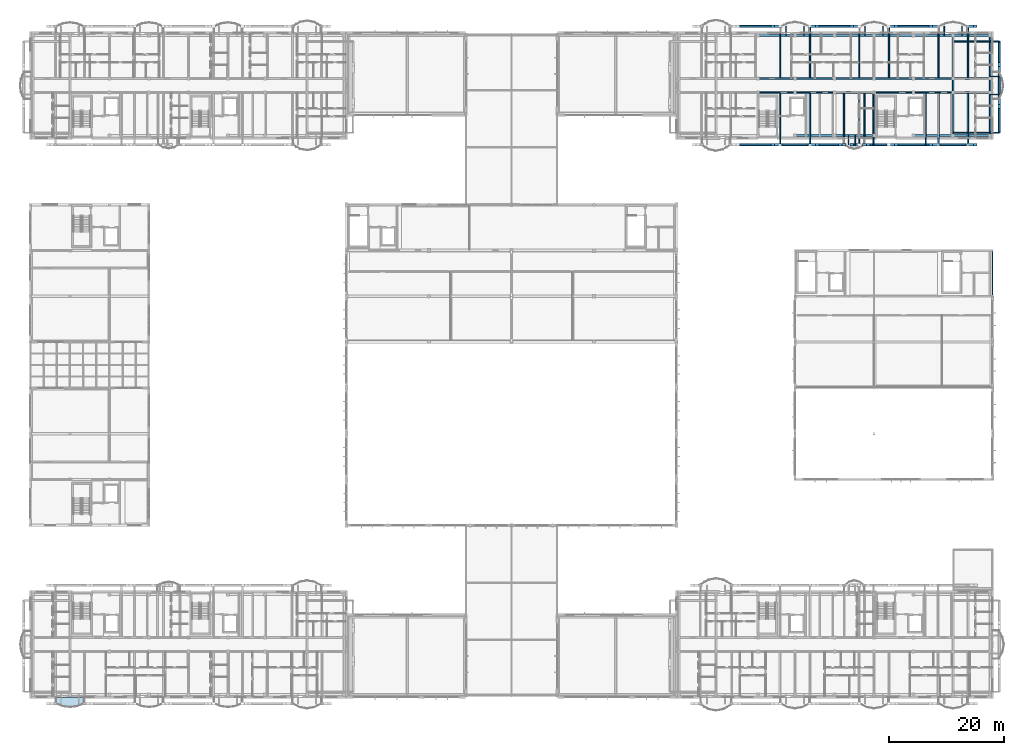
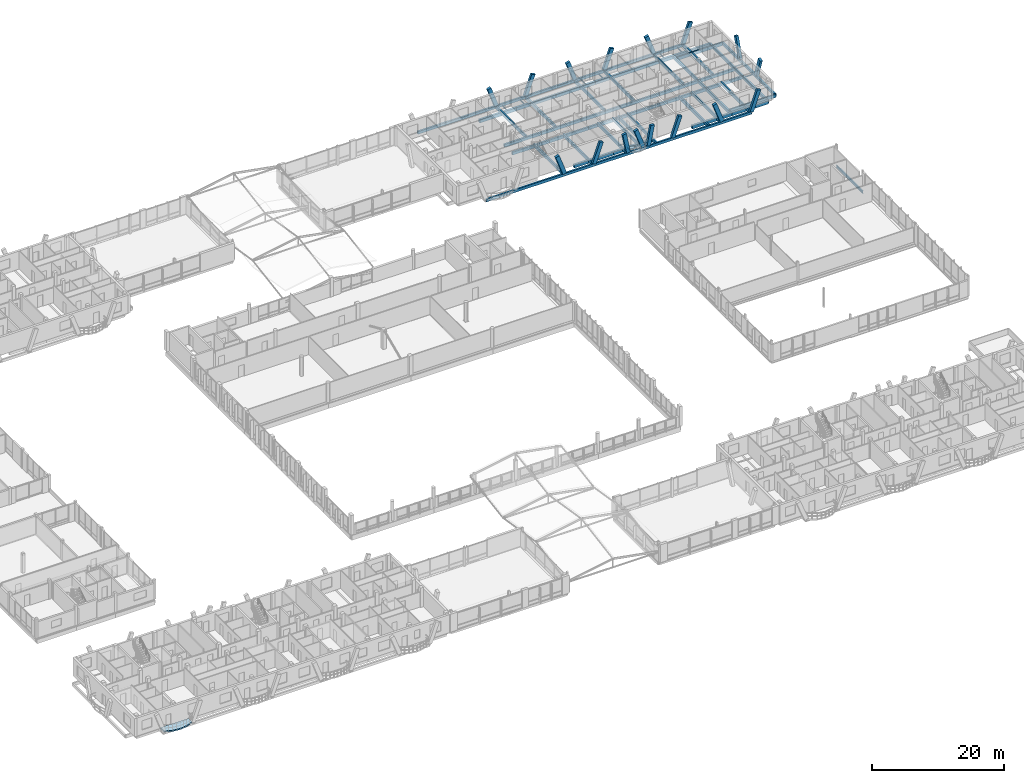
# One storey, part 122 of 189: 59 beams, 16 members, 1 slab.
"""IFC4 building model written with IfcOpenShell, lengths in metres."""

from ifc_helpers import new_model, si_unit, direction, frame, origin, origin_2d, place, context, subcontext, project, spatial, polyline, rectangle, i_section, outline, extrude, material, layer, layer_set, material_profile, profile_set, type_object, element, save


model = new_model("IFC4")

# Units and contexts
model_context = context("Model", 3, precision=1e-05, world=origin(), true_north=direction((0.0, 1.0)))
body_context = subcontext(model_context, "Body", "Model", "MODEL_VIEW")
ifc_project = project(units=[si_unit("LENGTHUNIT", "METRE"), si_unit("AREAUNIT", "SQUARE_METRE"), si_unit("VOLUMEUNIT", "CUBIC_METRE"), si_unit("PLANEANGLEUNIT", "RADIAN"), si_unit("MASSUNIT", "GRAM", prefix="KILO")], contexts=[model_context])

# Site, building, storey
site_placement = place(None, origin())
site = spatial("IfcSite", under=ifc_project, at=site_placement, CompositionType="ELEMENT")
building_placement = place(site_placement, origin())
building = spatial("IfcBuilding", under=site, at=building_placement, Name="Zavelmont Quarter", CompositionType="ELEMENT")
storey_placement = place(building_placement, frame((0.0, 0.0, 4.39990234375)))
storey = spatial("IfcBuildingStorey", under=building, at=storey_placement, Name="L01", CompositionType="ELEMENT", Elevation=4.39990234375)

# Beams
ifc_material_1 = material(Name="Concrete C35/45", Category="concrete")
ifc_material_profile_1 = material_profile(ifc_material_1, rectangle(XDim=0.35009765625, YDim=0.60009765625, at=origin_2d()), Name="RC350X600")
ifc_profile_set_1 = profile_set([ifc_material_profile_1], Name="Concrete C35/45")
beam_type_1 = type_object("IfcBeamType", Name="BM01", PredefinedType="SPANDREL", material=ifc_profile_set_1)
beam_1_placement = place(storey_placement, frame((133.5, 98.0400390625, -0.579833984375), z_axis=(1.0, 0.0, 0.0), x_axis=(0.0, 1.0, 0.0)))
element("IfcBeam", 1, at=beam_1_placement, inside=storey, type_object=beam_type_1, Name="L01 beam BM01 20/P to 21/P", PredefinedType="SPANDREL", context=body_context, shape_type="SweptSolid", body=[
    extrude(rectangle(XDim=0.35009765625, YDim=0.60009765625, at=origin_2d()), origin(), (0.0, 0.0, 1.0), 6.89990234375),
])
for number, where, z_axis, x_axis, name in (
    (2, (140.39990234375, 98.0400390625, -0.579833984375), (1.0, 0.0, 0.0), (0.0, 1.0, 0.0), "L01 beam BM01 21/P to 22/P"),
    (3, (154.199951171875, 98.0400390625, -0.579833984375), (1.0, 0.0, 0.0), (0.0, 1.0, 0.0), "L01 beam BM01 23/P to 24/P"),
):
    element("IfcBeam", number, at=place(storey_placement, frame(where, z_axis=z_axis, x_axis=x_axis)), inside=storey, type_object=beam_type_1, Name=name, PredefinedType="SPANDREL", context=body_context, shape_type="SweptSolid", body=[
        extrude(rectangle(XDim=0.35009765625, YDim=0.60009765625, at=origin_2d()), origin(), (0.0, 0.0, 1.0), 6.900146484375),
    ])
for number, where, z_axis, x_axis, name in (
    (4, (161.10009765625, 98.0400390625, -0.579833984375), (1.0, 0.0, 0.0), (0.0, 1.0, 0.0), "L01 beam BM01 24/P to 25/P"),
    (5, (127.0400390625, 115.56005859375, -0.579833984375), (1.0, 0.0, 0.0), (0.0, 1.0, 0.0), "L01 beam BM01 19/S to 20/S"),
):
    element("IfcBeam", number, at=place(storey_placement, frame(where, z_axis=z_axis, x_axis=x_axis)), inside=storey, type_object=beam_type_1, Name=name, PredefinedType="SPANDREL", context=body_context, shape_type="SweptSolid", body=[
        extrude(rectangle(XDim=0.35009765625, YDim=0.60009765625, at=origin_2d()), origin(), (0.0, 0.0, 1.0), 6.4599609375),
    ])
beam_2_placement = place(storey_placement, frame((133.5, 115.56005859375, -0.579833984375), z_axis=(1.0, 0.0, 0.0), x_axis=(0.0, 1.0, 0.0)))
element("IfcBeam", 6, at=beam_2_placement, inside=storey, type_object=beam_type_1, Name="L01 beam BM01 20/S to 21/S", PredefinedType="SPANDREL", context=body_context, shape_type="SweptSolid", body=[
    extrude(rectangle(XDim=0.35009765625, YDim=0.60009765625, at=origin_2d()), origin(), (0.0, 0.0, 1.0), 6.89990234375),
])
beam_3_placement = place(storey_placement, frame((140.39990234375, 115.56005859375, -0.579833984375), z_axis=(1.0, 0.0, 0.0), x_axis=(0.0, 1.0, 0.0)))
element("IfcBeam", 7, at=beam_3_placement, inside=storey, type_object=beam_type_1, Name="L01 beam BM01 21/S to 22/S", PredefinedType="SPANDREL", context=body_context, shape_type="SweptSolid", body=[
    extrude(rectangle(XDim=0.35009765625, YDim=0.60009765625, at=origin_2d()), origin(), (0.0, 0.0, 1.0), 6.900146484375),
])
beam_4_placement = place(storey_placement, frame((147.300048828125, 115.56005859375, -0.579833984375), z_axis=(1.0, 0.0, 0.0), x_axis=(0.0, 1.0, 0.0)))
element("IfcBeam", 8, at=beam_4_placement, inside=storey, type_object=beam_type_1, Name="L01 beam BM01 22/S to 23/S", PredefinedType="SPANDREL", context=body_context, shape_type="SweptSolid", body=[
    extrude(rectangle(XDim=0.35009765625, YDim=0.60009765625, at=origin_2d()), origin(), (0.0, 0.0, 1.0), 6.89990234375),
])
beam_5_placement = place(storey_placement, frame((154.199951171875, 115.56005859375, -0.579833984375), z_axis=(1.0, 0.0, 0.0), x_axis=(0.0, 1.0, 0.0)))
element("IfcBeam", 9, at=beam_5_placement, inside=storey, type_object=beam_type_1, Name="L01 beam BM01 23/S to 24/S", PredefinedType="SPANDREL", context=body_context, shape_type="SweptSolid", body=[
    extrude(rectangle(XDim=0.35009765625, YDim=0.60009765625, at=origin_2d()), origin(), (0.0, 0.0, 1.0), 6.900146484375),
])
beam_6_placement = place(storey_placement, frame((161.10009765625, 115.56005859375, -0.579833984375), z_axis=(1.0, 0.0, 0.0), x_axis=(0.0, 1.0, 0.0)))
element("IfcBeam", 10, at=beam_6_placement, inside=storey, type_object=beam_type_1, Name="L01 beam BM01 24/S to 25/S", PredefinedType="SPANDREL", context=body_context, shape_type="SweptSolid", body=[
    extrude(rectangle(XDim=0.35009765625, YDim=0.60009765625, at=origin_2d()), origin(), (0.0, 0.0, 1.0), 6.4599609375),
])
ifc_material_profile_2 = material_profile(ifc_material_1, rectangle(XDim=0.300048828125, YDim=0.550048828125, at=origin_2d()), Name="RC300X550")
ifc_profile_set_2 = profile_set([ifc_material_profile_2], Name="Concrete C35/45")
beam_type_2 = type_object("IfcBeamType", Name="BM02", PredefinedType="SPANDREL", material=ifc_profile_set_2)
beam_7_placement = place(storey_placement, frame((127.0400390625, 105.60009765625, -0.554931640625), z_axis=(1.0, 0.0, 0.0), x_axis=(0.0, 1.0, 0.0)))
element("IfcBeam", 11, at=beam_7_placement, inside=storey, type_object=beam_type_2, Name="L01 beam BM02 19/Q to 20/Q", PredefinedType="SPANDREL", context=body_context, shape_type="SweptSolid", body=[
    extrude(rectangle(XDim=0.300048828125, YDim=0.550048828125, at=origin_2d()), origin(), (0.0, 0.0, 1.0), 6.4599609375),
])
beam_8_placement = place(storey_placement, frame((133.5, 105.60009765625, -0.554931640625), z_axis=(1.0, 0.0, 0.0), x_axis=(0.0, 1.0, 0.0)))
element("IfcBeam", 12, at=beam_8_placement, inside=storey, type_object=beam_type_2, Name="L01 beam BM02 20/Q to 21/Q", PredefinedType="SPANDREL", context=body_context, shape_type="SweptSolid", body=[
    extrude(rectangle(XDim=0.300048828125, YDim=0.550048828125, at=origin_2d()), origin(), (0.0, 0.0, 1.0), 6.89990234375),
])
beam_9_placement = place(storey_placement, frame((140.39990234375, 105.60009765625, -0.554931640625), z_axis=(1.0, 0.0, 0.0), x_axis=(0.0, 1.0, 0.0)))
element("IfcBeam", 13, at=beam_9_placement, inside=storey, type_object=beam_type_2, Name="L01 beam BM02 21/Q to 22/Q", PredefinedType="SPANDREL", context=body_context, shape_type="SweptSolid", body=[
    extrude(rectangle(XDim=0.300048828125, YDim=0.550048828125, at=origin_2d()), origin(), (0.0, 0.0, 1.0), 6.900146484375),
])
beam_10_placement = place(storey_placement, frame((147.300048828125, 105.60009765625, -0.554931640625), z_axis=(1.0, 0.0, 0.0), x_axis=(0.0, 1.0, 0.0)))
element("IfcBeam", 14, at=beam_10_placement, inside=storey, type_object=beam_type_2, Name="L01 beam BM02 22/Q to 23/Q", PredefinedType="SPANDREL", context=body_context, shape_type="SweptSolid", body=[
    extrude(rectangle(XDim=0.300048828125, YDim=0.550048828125, at=origin_2d()), origin(), (0.0, 0.0, 1.0), 6.89990234375),
])
beam_11_placement = place(storey_placement, frame((154.199951171875, 105.60009765625, -0.554931640625), z_axis=(1.0, 0.0, 0.0), x_axis=(0.0, 1.0, 0.0)))
element("IfcBeam", 15, at=beam_11_placement, inside=storey, type_object=beam_type_2, Name="L01 beam BM02 23/Q to 24/Q", PredefinedType="SPANDREL", context=body_context, shape_type="SweptSolid", body=[
    extrude(rectangle(XDim=0.300048828125, YDim=0.550048828125, at=origin_2d()), origin(), (0.0, 0.0, 1.0), 6.900146484375),
])
for number, where, z_axis, x_axis, name in (
    (16, (161.10009765625, 105.60009765625, -0.554931640625), (1.0, 0.0, 0.0), (0.0, 1.0, 0.0), "L01 beam BM02 24/Q to 25/Q"),
    (17, (127.0400390625, 108.0, -0.554931640625), (1.0, 0.0, 0.0), (0.0, 1.0, 0.0), "L01 beam BM02 19/R to 20/R"),
):
    element("IfcBeam", number, at=place(storey_placement, frame(where, z_axis=z_axis, x_axis=x_axis)), inside=storey, type_object=beam_type_2, Name=name, PredefinedType="SPANDREL", context=body_context, shape_type="SweptSolid", body=[
        extrude(rectangle(XDim=0.300048828125, YDim=0.550048828125, at=origin_2d()), origin(), (0.0, 0.0, 1.0), 6.4599609375),
    ])
beam_12_placement = place(storey_placement, frame((133.5, 108.0, -0.554931640625), z_axis=(1.0, 0.0, 0.0), x_axis=(0.0, 1.0, 0.0)))
element("IfcBeam", 18, at=beam_12_placement, inside=storey, type_object=beam_type_2, Name="L01 beam BM02 20/R to 21/R", PredefinedType="SPANDREL", context=body_context, shape_type="SweptSolid", body=[
    extrude(rectangle(XDim=0.300048828125, YDim=0.550048828125, at=origin_2d()), origin(), (0.0, 0.0, 1.0), 6.89990234375),
])
beam_13_placement = place(storey_placement, frame((140.39990234375, 108.0, -0.554931640625), z_axis=(1.0, 0.0, 0.0), x_axis=(0.0, 1.0, 0.0)))
element("IfcBeam", 19, at=beam_13_placement, inside=storey, type_object=beam_type_2, Name="L01 beam BM02 21/R to 22/R", PredefinedType="SPANDREL", context=body_context, shape_type="SweptSolid", body=[
    extrude(rectangle(XDim=0.300048828125, YDim=0.550048828125, at=origin_2d()), origin(), (0.0, 0.0, 1.0), 6.900146484375),
])
beam_14_placement = place(storey_placement, frame((147.300048828125, 108.0, -0.554931640625), z_axis=(1.0, 0.0, 0.0), x_axis=(0.0, 1.0, 0.0)))
element("IfcBeam", 20, at=beam_14_placement, inside=storey, type_object=beam_type_2, Name="L01 beam BM02 22/R to 23/R", PredefinedType="SPANDREL", context=body_context, shape_type="SweptSolid", body=[
    extrude(rectangle(XDim=0.300048828125, YDim=0.550048828125, at=origin_2d()), origin(), (0.0, 0.0, 1.0), 6.89990234375),
])
beam_15_placement = place(storey_placement, frame((154.199951171875, 108.0, -0.554931640625), z_axis=(1.0, 0.0, 0.0), x_axis=(0.0, 1.0, 0.0)))
element("IfcBeam", 21, at=beam_15_placement, inside=storey, type_object=beam_type_2, Name="L01 beam BM02 23/R to 24/R", PredefinedType="SPANDREL", context=body_context, shape_type="SweptSolid", body=[
    extrude(rectangle(XDim=0.300048828125, YDim=0.550048828125, at=origin_2d()), origin(), (0.0, 0.0, 1.0), 6.900146484375),
])
beam_16_placement = place(storey_placement, frame((161.10009765625, 108.0, -0.554931640625), z_axis=(1.0, 0.0, 0.0), x_axis=(0.0, 1.0, 0.0)))
element("IfcBeam", 22, at=beam_16_placement, inside=storey, type_object=beam_type_2, Name="L01 beam BM02 24/R to 25/R", PredefinedType="SPANDREL", context=body_context, shape_type="SweptSolid", body=[
    extrude(rectangle(XDim=0.300048828125, YDim=0.550048828125, at=origin_2d()), origin(), (0.0, 0.0, 1.0), 6.4599609375),
])
beam_17_placement = place(storey_placement, frame((161.10009765625, 98.0400390625, -0.554931640625), z_axis=(0.0, 1.0, 0.0), x_axis=(-1.0, 0.0, 0.0)))
element("IfcBeam", 23, at=beam_17_placement, inside=storey, type_object=beam_type_2, Name="L01 beam BM02 24/P to 24/Q", PredefinedType="SPANDREL", context=body_context, shape_type="SweptSolid", body=[
    extrude(rectangle(XDim=0.300048828125, YDim=0.550048828125, at=origin_2d()), origin(), (0.0, 0.0, 1.0), 7.56005859375),
])
beam_18_placement = place(storey_placement, frame((161.10009765625, 105.60009765625, -0.554931640625), z_axis=(0.0, 1.0, 0.0), x_axis=(-1.0, 0.0, 0.0)))
element("IfcBeam", 24, at=beam_18_placement, inside=storey, type_object=beam_type_2, Name="L01 beam BM02 24/Q to 24/R", PredefinedType="SPANDREL", context=body_context, shape_type="SweptSolid", body=[
    extrude(rectangle(XDim=0.300048828125, YDim=0.550048828125, at=origin_2d()), origin(), (0.0, 0.0, 1.0), 2.39990234375),
])
for number, where, z_axis, x_axis, name in (
    (25, (161.10009765625, 108.0, -0.554931640625), (0.0, 1.0, 0.0), (-1.0, 0.0, 0.0), "L01 beam BM02 24/R to 24/S"),
    (26, (167.56005859375, 98.0400390625, -0.554931640625), (0.0, 1.0, 0.0), (-1.0, 0.0, 0.0), "L01 beam BM02 25/P to 25/Q"),
):
    element("IfcBeam", number, at=place(storey_placement, frame(where, z_axis=z_axis, x_axis=x_axis)), inside=storey, type_object=beam_type_2, Name=name, PredefinedType="SPANDREL", context=body_context, shape_type="SweptSolid", body=[
        extrude(rectangle(XDim=0.300048828125, YDim=0.550048828125, at=origin_2d()), origin(), (0.0, 0.0, 1.0), 7.56005859375),
    ])
beam_19_placement = place(storey_placement, frame((167.56005859375, 105.60009765625, -0.554931640625), z_axis=(0.0, 1.0, 0.0), x_axis=(-1.0, 0.0, 0.0)))
element("IfcBeam", 27, at=beam_19_placement, inside=storey, type_object=beam_type_2, Name="L01 beam BM02 25/Q to 25/R", PredefinedType="SPANDREL", context=body_context, shape_type="SweptSolid", body=[
    extrude(rectangle(XDim=0.300048828125, YDim=0.550048828125, at=origin_2d()), origin(), (0.0, 0.0, 1.0), 2.39990234375),
])
beam_20_placement = place(storey_placement, frame((167.56005859375, 108.0, -0.554931640625), z_axis=(0.0, 1.0, 0.0), x_axis=(-1.0, 0.0, 0.0)))
element("IfcBeam", 28, at=beam_20_placement, inside=storey, type_object=beam_type_2, Name="L01 beam BM02 25/R to 25/S", PredefinedType="SPANDREL", context=body_context, shape_type="SweptSolid", body=[
    extrude(rectangle(XDim=0.300048828125, YDim=0.550048828125, at=origin_2d()), origin(), (0.0, 0.0, 1.0), 7.56005859375),
])
ifc_material_profile_3 = material_profile(ifc_material_1, rectangle(XDim=0.300048828125, YDim=0.5, at=origin_2d()), Name="RC300X500")
ifc_profile_set_3 = profile_set([ifc_material_profile_3], Name="Concrete C35/45")
beam_type_3 = type_object("IfcBeamType", Name="BM03", PredefinedType="BEAM", material=ifc_profile_set_3)
for number, where, z_axis, x_axis, name in (
    (29, (117.173095703125, 117.14990234375, -0.25), (1.0, 0.0, 0.0), (0.0, 1.0, 0.0), "L01 beam BM03 18/S to 24/S"),
    (30, (117.173095703125, 96.449951171875, -0.25), (1.0, 0.0, 0.0), (0.0, 1.0, 0.0), "L01 beam BM03 18/P to 24/P"),
):
    element("IfcBeam", number, at=place(storey_placement, frame(where, z_axis=z_axis, x_axis=x_axis)), inside=storey, type_object=beam_type_3, Name=name, PredefinedType="BEAM", context=body_context, shape_type="SweptSolid", body=[
        extrude(rectangle(XDim=0.300048828125, YDim=0.5, at=origin_2d()), origin(), (0.0, 0.0, 1.0), 46.5087890625),
    ])
beam_21_placement = place(storey_placement, frame((169.14990234375, 98.550048828125, -0.25), z_axis=(0.0, 1.0, 0.0), x_axis=(-1.0, 0.0, 0.0)))
element("IfcBeam", 31, at=beam_21_placement, inside=storey, type_object=beam_type_3, Name="L01 beam BM03 25/P to 25/S", PredefinedType="BEAM", context=body_context, shape_type="SweptSolid", body=[
    extrude(rectangle(XDim=0.300048828125, YDim=0.5, at=origin_2d()), origin(), (0.0, 0.0, 1.0), 15.949951171875),
])
ifc_material_2 = material(Name="Steel S355", Category="steel")
ifc_material_profile_4 = material_profile(ifc_material_2, i_section(OverallWidth=0.18994140625, OverallDepth=0.449951171875, WebThickness=0.009521484375, FlangeThickness=0.0146484375, at=origin_2d()), Name="IPE 450")
ifc_profile_set_4 = profile_set([ifc_material_profile_4], Name="Steel S355")
beam_type_4 = type_object("IfcBeamType", Name="BM12", PredefinedType="BEAM", material=ifc_profile_set_4)
beam_22_placement = place(storey_placement, frame((168.0, 70.0, -0.5048828125), z_axis=(0.0, 1.0, 0.0), x_axis=(-1.0, 0.0, 0.0)))
element("IfcBeam", 32, at=beam_22_placement, inside=storey, type_object=beam_type_4, Name="L01 beam BM12 25/L to 25/M", PredefinedType="BEAM", context=body_context, shape_type="SweptSolid", body=[
    extrude(i_section(OverallWidth=0.18994140625, OverallDepth=0.449951171875, WebThickness=0.009521484375, FlangeThickness=0.0146484375, at=origin_2d()), origin(), (0.0, 0.0, 1.0), 8.0),
])
ifc_material_profile_5 = material_profile(ifc_material_2, i_section(OverallWidth=0.110107421875, OverallDepth=0.219970703125, WebThickness=0.005859375, FlangeThickness=0.00927734375, at=origin_2d()), Name="IPE 220")
ifc_profile_set_5 = profile_set([ifc_material_profile_5], Name="Steel S355")
beam_type_5 = type_object("IfcBeamType", Name="BM15", PredefinedType="JOIST", material=ifc_profile_set_5)
for number, where, z_axis, x_axis, name in (
    (33, (131.949951171875, 115.56005859375, -0.391845703125), (0.0, 1.0, 0.0), (-1.0, 0.0, 0.0), "L01 beam BM15 20/S to 20/S"),
    (34, (135.050048828125, 115.56005859375, -0.391845703125), (0.0, 1.0, 0.0), (-1.0, 0.0, 0.0), "L01 beam BM15 20/S to 20/S"),
    (35, (145.75, 115.56005859375, -0.391845703125), (0.0, 1.0, 0.0), (-1.0, 0.0, 0.0), "L01 beam BM15 22/S to 22/S"),
    (36, (148.85009765625, 115.56005859375, -0.391845703125), (0.0, 1.0, 0.0), (-1.0, 0.0, 0.0), "L01 beam BM15 22/S to 22/S"),
    (37, (159.550048828125, 115.56005859375, -0.391845703125), (0.0, 1.0, 0.0), (-1.0, 0.0, 0.0), "L01 beam BM15 24/S to 24/S"),
    (38, (162.64990234375, 115.56005859375, -0.391845703125), (0.0, 1.0, 0.0), (-1.0, 0.0, 0.0), "L01 beam BM15 24/S to 24/S"),
    (39, (167.56005859375, 105.25, -0.391845703125), (1.0, 0.0, 0.0), (0.0, 1.0, 0.0), "L01 beam BM15 25/Q to 25/Q"),
    (40, (167.56005859375, 108.35009765625, -0.391845703125), (1.0, 0.0, 0.0), (0.0, 1.0, 0.0), "L01 beam BM15 25/R to 25/R"),
):
    element("IfcBeam", number, at=place(storey_placement, frame(where, z_axis=z_axis, x_axis=x_axis)), inside=storey, type_object=beam_type_5, Name=name, PredefinedType="JOIST", context=body_context, shape_type="SweptSolid", body=[
        extrude(i_section(OverallWidth=0.110107421875, OverallDepth=0.219970703125, WebThickness=0.005859375, FlangeThickness=0.00927734375, at=origin_2d()), origin(), (0.0, 0.0, 1.0), 1.58984375),
    ])
for number, where, z_axis, x_axis, name in (
    (41, (142.841796875, 98.0400390625, -0.391845703125), (0.0, -1.0, 0.0), (1.0, 0.0, 0.0), "L01 beam BM15 21/P to 21/P"),
    (42, (144.028076171875, 98.0400390625, -0.391845703125), (0.0, -1.0, 0.0), (1.0, 0.0, 0.0), "L01 beam BM15 22/P to 22/P"),
):
    element("IfcBeam", number, at=place(storey_placement, frame(where, z_axis=z_axis, x_axis=x_axis)), inside=storey, type_object=beam_type_5, Name=name, PredefinedType="JOIST", context=body_context, shape_type="SweptSolid", body=[
        extrude(i_section(OverallWidth=0.110107421875, OverallDepth=0.219970703125, WebThickness=0.005859375, FlangeThickness=0.00927734375, at=origin_2d()), origin(), (0.0, 0.0, 1.0), 1.590087890625),
    ])
ifc_material_3 = material(Name="Concrete C40/50", Category="concrete")
ifc_material_profile_6 = material_profile(ifc_material_3, rectangle(XDim=0.25, YDim=0.60009765625, at=origin_2d()), Name="RC250X600")
ifc_profile_set_6 = profile_set([ifc_material_profile_6], Name="Concrete C40/50")
beam_type_6 = type_object("IfcBeamType", Name="BM18", PredefinedType="BEAM", material=ifc_profile_set_6)
for number, where, z_axis, x_axis, name in (
    (43, (130.91796875, 108.0, -0.2998046875), (0.0, 1.0, 0.0), (-1.0, 0.0, 0.0), "L01 beam BM18 20/R to 20/S"),
    (44, (136.08203125, 108.0, -0.2998046875), (0.0, 1.0, 0.0), (-1.0, 0.0, 0.0), "L01 beam BM18 20/R to 20/S"),
    (45, (144.718017578125, 108.0, -0.2998046875), (0.0, 1.0, 0.0), (-1.0, 0.0, 0.0), "L01 beam BM18 22/R to 22/S"),
    (46, (149.882080078125, 108.0, -0.2998046875), (0.0, 1.0, 0.0), (-1.0, 0.0, 0.0), "L01 beam BM18 22/R to 22/S"),
    (47, (158.517822265625, 108.0, -0.2998046875), (0.0, 1.0, 0.0), (-1.0, 0.0, 0.0), "L01 beam BM18 24/R to 24/S"),
    (48, (163.68212890625, 108.0, -0.2998046875), (0.0, 1.0, 0.0), (-1.0, 0.0, 0.0), "L01 beam BM18 24/R to 24/S"),
):
    element("IfcBeam", number, at=place(storey_placement, frame(where, z_axis=z_axis, x_axis=x_axis)), inside=storey, type_object=beam_type_6, Name=name, PredefinedType="BEAM", context=body_context, shape_type="SweptSolid", body=[
        extrude(rectangle(XDim=0.25, YDim=0.60009765625, at=origin_2d()), origin(), (0.0, 0.0, 1.0), 9.14990234375),
    ])
for number, where, z_axis, x_axis, name in (
    (49, (130.91796875, 105.60009765625, -0.2998046875), (0.0, -1.0, 0.0), (1.0, 0.0, 0.0), "L01 beam BM18 20/Q to 20/P"),
    (50, (136.08203125, 105.60009765625, -0.2998046875), (0.0, -1.0, 0.0), (1.0, 0.0, 0.0), "L01 beam BM18 20/Q to 20/P"),
    (51, (144.718017578125, 105.60009765625, -0.2998046875), (0.0, -1.0, 0.0), (1.0, 0.0, 0.0), "L01 beam BM18 22/Q to 22/P"),
    (52, (147.199951171875, 105.60009765625, -0.2998046875), (0.0, -1.0, 0.0), (1.0, 0.0, 0.0), "L01 beam BM18 22/Q to 22/P"),
    (53, (156.324951171875, 105.60009765625, -0.2998046875), (0.0, -1.0, 0.0), (1.0, 0.0, 0.0), "L01 beam BM18 23/Q to 23/P"),
    (54, (158.517822265625, 105.60009765625, -0.2998046875), (0.0, -1.0, 0.0), (1.0, 0.0, 0.0), "L01 beam BM18 24/Q to 24/P"),
    (55, (163.68212890625, 105.60009765625, -0.2998046875), (0.0, -1.0, 0.0), (1.0, 0.0, 0.0), "L01 beam BM18 24/Q to 24/P"),
    (56, (142.072021484375, 105.60009765625, -0.2998046875), (0.0, -1.0, 0.0), (1.0, 0.0, 0.0), "L01 beam BM18 21/Q to 21/P"),
    (57, (145.628173828125, 105.60009765625, -0.2998046875), (0.0, -1.0, 0.0), (1.0, 0.0, 0.0), "L01 beam BM18 22/Q to 22/P"),
):
    element("IfcBeam", number, at=place(storey_placement, frame(where, z_axis=z_axis, x_axis=x_axis)), inside=storey, type_object=beam_type_6, Name=name, PredefinedType="BEAM", context=body_context, shape_type="SweptSolid", body=[
        extrude(rectangle(XDim=0.25, YDim=0.60009765625, at=origin_2d()), origin(), (0.0, 0.0, 1.0), 9.150146484375),
    ])
for number, where, z_axis, x_axis, name in (
    (58, (161.10009765625, 98.550048828125, -0.2998046875), (1.0, 0.0, 0.0), (0.0, 1.0, 0.0), "L01 beam BM18 24/P to 25/P"),
    (59, (161.10009765625, 114.5, -0.2998046875), (1.0, 0.0, 0.0), (0.0, 1.0, 0.0), "L01 beam BM18 24/S to 25/S"),
):
    element("IfcBeam", number, at=place(storey_placement, frame(where, z_axis=z_axis, x_axis=x_axis)), inside=storey, type_object=beam_type_6, Name=name, PredefinedType="BEAM", context=body_context, shape_type="SweptSolid", body=[
        extrude(rectangle(XDim=0.25, YDim=0.60009765625, at=origin_2d()), origin(), (0.0, 0.0, 1.0), 8.0498046875),
    ])

# Members
ifc_material_4 = material(Name="White architectural precast concrete C40/50", Category="concrete")
ifc_material_profile_7 = material_profile(ifc_material_4, rectangle(XDim=0.43994140625, YDim=0.659912109375, at=origin_2d()), Name="PCR320X480")
ifc_profile_set_7 = profile_set([ifc_material_profile_7], Name="White architectural precast concrete C40/50")
member_type = type_object("IfcMemberType", Name="VR01M", PredefinedType="CHORD", material=ifc_profile_set_7)
for number, where, z_axis, x_axis, name in (
    (60, (130.91796875, 117.14990234375, 0.0), (-0.337048151286, 0.0, 0.941487410279), (0.0, -1.0, 0.0), "L01 member VR01M 20/S to 19/S"),
    (61, (136.08203125, 117.14990234375, 0.0), (0.337048151286, 0.0, 0.941487410279), (0.0, 1.0, 0.0), "L01 member VR01M 20/S to 21/S"),
    (62, (144.718017578125, 117.14990234375, 0.0), (-0.337048151286, 0.0, 0.941487410279), (0.0, -1.0, 0.0), "L01 member VR01M 22/S to 21/S"),
    (63, (149.882080078125, 117.14990234375, 0.0), (0.337048151286, 0.0, 0.941487410279), (0.0, 1.0, 0.0), "L01 member VR01M 22/S to 23/S"),
    (64, (158.517822265625, 117.14990234375, 0.0), (-0.336991555599, 0.0, 0.941507669355), (0.0, -1.0, 0.0), "L01 member VR01M 24/S to 23/S"),
    (65, (163.68212890625, 117.14990234375, 0.0), (0.336991555599, 0.0, 0.941507669355), (0.0, 1.0, 0.0), "L01 member VR01M 24/S to 25/S"),
    (66, (130.91796875, 96.449951171875, 0.0), (-0.337048151286, 0.0, 0.941487410279), (0.0, -1.0, 0.0), "L01 member VR01M 20/P to 19/P"),
    (67, (136.08203125, 96.449951171875, 0.0), (0.337048151286, 0.0, 0.941487410279), (0.0, 1.0, 0.0), "L01 member VR01M 20/P to 21/P"),
    (68, (144.718017578125, 96.449951171875, 0.0), (-0.337048151286, 0.0, 0.941487410279), (0.0, -1.0, 0.0), "L01 member VR01M 22/P to 21/P"),
    (69, (149.882080078125, 96.449951171875, 0.0), (0.337048151286, 0.0, 0.941487410279), (0.0, 1.0, 0.0), "L01 member VR01M 22/P to 23/P"),
    (70, (158.517822265625, 96.449951171875, 0.0), (-0.336991555599, 0.0, 0.941507669355), (0.0, -1.0, 0.0), "L01 member VR01M 24/P to 23/P"),
    (71, (163.68212890625, 96.449951171875, 0.0), (0.336991555599, 0.0, 0.941507669355), (0.0, 1.0, 0.0), "L01 member VR01M 24/P to 25/P"),
):
    element("IfcMember", number, at=place(storey_placement, frame(where, z_axis=z_axis, x_axis=x_axis)), inside=storey, type_object=member_type, Name=name, PredefinedType="CHORD", context=body_context, shape_type="SweptSolid", body=[
        extrude(rectangle(XDim=0.43994140625, YDim=0.659912109375, at=origin_2d()), origin(), (0.0, 0.0, 1.0), 3.82373046875),
    ])
for number, where, z_axis, x_axis, name in (
    (72, (142.072021484375, 96.449951171875, 0.0), (-0.185712576778, 0.0, 0.982604110935), (0.0, -1.0, 0.0), "L01 member VR01M 21/P to 21/P"),
    (73, (145.628173828125, 96.449951171875, 0.0), (0.185648238481, 0.0, 0.982616268718), (0.0, 1.0, 0.0), "L01 member VR01M 22/P to 22/P"),
):
    element("IfcMember", number, at=place(storey_placement, frame(where, z_axis=z_axis, x_axis=x_axis)), inside=storey, type_object=member_type, Name=name, PredefinedType="CHORD", context=body_context, shape_type="SweptSolid", body=[
        extrude(rectangle(XDim=0.43994140625, YDim=0.659912109375, at=origin_2d()), origin(), (0.0, 0.0, 1.0), 3.663818359375),
    ])
member_1_placement = place(storey_placement, frame((169.14990234375, 104.33642578125, 0.0), z_axis=(0.0, -0.316382157351, 0.948631820313), x_axis=(1.0, 0.0, 0.0)))
element("IfcMember", 74, at=member_1_placement, inside=storey, type_object=member_type, Name="L01 member VR01M 25/Q to 25/Q", PredefinedType="CHORD", context=body_context, shape_type="SweptSolid", body=[
    extrude(rectangle(XDim=0.43994140625, YDim=0.659912109375, at=origin_2d()), origin(), (0.0, 0.0, 1.0), 3.794921875),
])
member_2_placement = place(storey_placement, frame((169.14990234375, 109.263427734375, 0.0), z_axis=(0.0, 0.316440047621, 0.948612511124), x_axis=(-1.0, 0.0, 0.0)))
element("IfcMember", 75, at=member_2_placement, inside=storey, type_object=member_type, Name="L01 member VR01M 25/R to 25/R", PredefinedType="CHORD", context=body_context, shape_type="SweptSolid", body=[
    extrude(rectangle(XDim=0.43994140625, YDim=0.659912109375, at=origin_2d()), origin(), (0.0, 0.0, 1.0), 3.795166015625),
])

# Slab
ifc_layer = layer(ifc_material_4, 0.235107421875)
ifc_layer_set = layer_set([ifc_layer], Name="White architectural precast concrete C40/50")
slab_type = type_object("IfcSlabType", Name="SL-BL180", PredefinedType="FLOOR", material=ifc_layer_set)
slab_placement = place(storey_placement, frame((0.0, 0.0, -0.23486328125)))
element("IfcSlab", 76, at=slab_placement, inside=storey, type_object=slab_type, Name="L01 Block A street vase 1 balcony SL-BL180", PredefinedType="FLOOR", context=body_context, shape_type="SweptSolid", body=[
    extrude(outline(polyline([(4.450439453125, -0.02001953125), (4.450439453125, -1.10009765625), (5.67529296875, -1.576416015625), (6.89990234375, -1.735107421875), (8.124755859375, -1.576416015625), (9.349609375, -1.10009765625), (9.349609375, -0.02001953125), (4.450439453125, -0.02001953125)])), origin(), (0.0, 0.0, 1.0), 0.23486328125),
])

save(model, "model.ifc")
